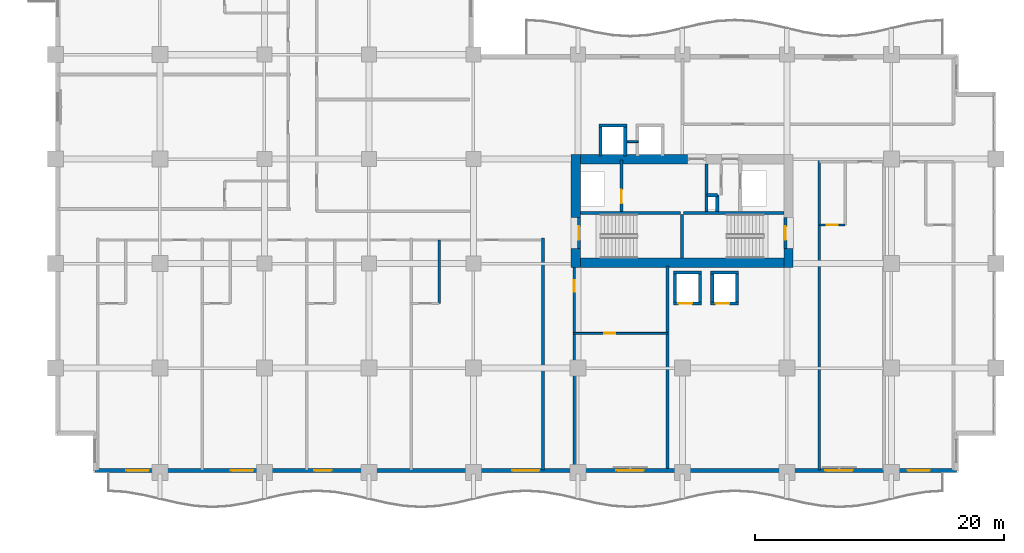
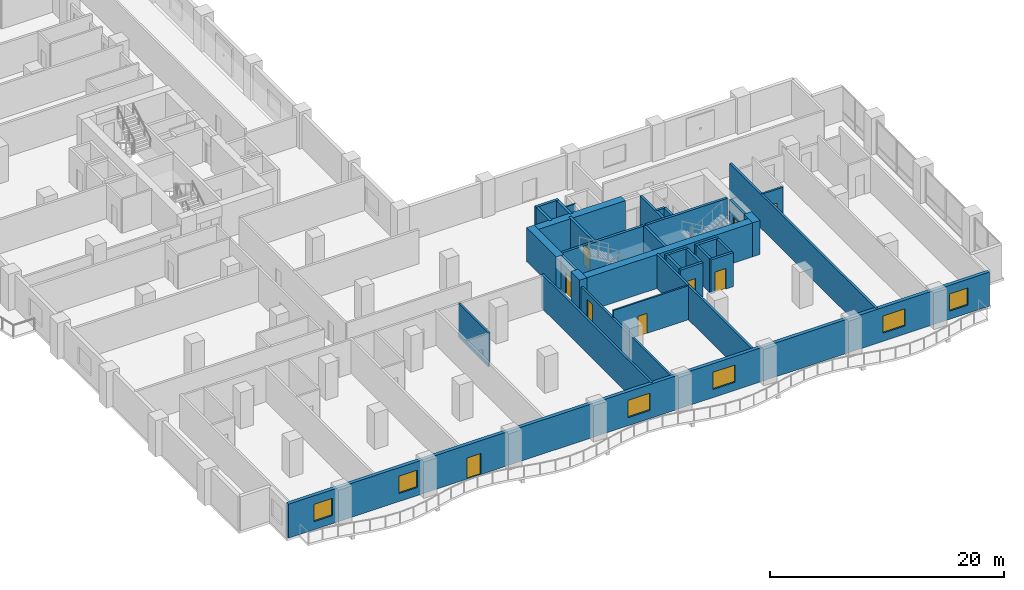
# One storey, part 10 of 24: 34 walls, 9 doors, 6 windows, 15 openings.
"""IFC4 building model written with IfcOpenShell, lengths in metres."""

from ifc_helpers import new_model, si_unit, direction, frame, frame_2d, origin, place, context, subcontext, project, spatial, rectangle, extrude, material, layer, layer_set, type_object, element, fill, save


model = new_model("IFC4")

# Units and contexts
model_context = context("Model", 3, precision=1e-05, world=origin(), true_north=direction((0.0, 1.0)))
body_context = subcontext(model_context, "Body", "Model", "MODEL_VIEW")
ifc_project = project(units=[si_unit("LENGTHUNIT", "METRE"), si_unit("AREAUNIT", "SQUARE_METRE"), si_unit("VOLUMEUNIT", "CUBIC_METRE"), si_unit("PLANEANGLEUNIT", "RADIAN"), si_unit("MASSUNIT", "GRAM", prefix="KILO")], contexts=[model_context])

# Site, building, storey
site_placement = place(None, origin())
site = spatial("IfcSite", under=ifc_project, at=site_placement, CompositionType="ELEMENT")
building_placement = place(site_placement, origin())
building = spatial("IfcBuilding", under=site, at=building_placement, Name="Koriwani Terraces Tower", CompositionType="ELEMENT")
storey_placement = place(building_placement, frame((0.0, 0.0, 103.800048828125)))
storey = spatial("IfcBuildingStorey", under=building, at=storey_placement, Name="L24", CompositionType="ELEMENT", Elevation=103.800048828125)

# Walls
ifc_material_1 = material(Name="Concrete C60/75", Category="concrete")
ifc_layer_1 = layer(ifc_material_1, 0.75, Name="Concrete C60/75")
ifc_layer_set_1 = layer_set([ifc_layer_1], Name="Concrete C60/75")
wall_type_1 = type_object("IfcWallType", Name="WALL_CORE_RC_750", PredefinedType="SHEAR", material=ifc_layer_set_1)
wall_1_placement = place(storey_placement, frame((41.824951171875, 16.5, 0.0), z_axis=(0.0, 0.0, 1.0), x_axis=(0.0, 1.0, 0.0)))
element("IfcWall", 1, at=wall_1_placement, inside=storey, type_object=wall_type_1, Name="L24 East Split Core Shear Wall W1", PredefinedType="SHEAR", context=body_context, shape_type="SweptSolid", body=[
    extrude(rectangle(XDim=1.5, YDim=0.75, at=frame_2d((0.75, 0.0))), origin(), (0.0, 0.0, 1.0), 3.550048828125),
])
wall_2_placement = place(storey_placement, frame((41.824951171875, 20.5, 0.0), z_axis=(0.0, 0.0, 1.0), x_axis=(0.0, 1.0, 0.0)))
element("IfcWall", 2, at=wall_2_placement, inside=storey, type_object=wall_type_1, Name="L24 East Split Core Shear Wall W2", PredefinedType="SHEAR", context=body_context, shape_type="SweptSolid", body=[
    extrude(rectangle(XDim=5.074951171875, YDim=0.75, at=frame_2d((2.53759765625, 0.0))), origin(), (0.0, 0.0, 1.0), 3.550048828125),
])
wall_3_placement = place(storey_placement, frame((58.925048828125, 16.5, 0.0), z_axis=(0.0, 0.0, 1.0), x_axis=(0.0, 1.0, 0.0)))
element("IfcWall", 3, at=wall_3_placement, inside=storey, type_object=wall_type_1, Name="L24 East Split Core Shear Wall E1", PredefinedType="SHEAR", context=body_context, shape_type="SweptSolid", body=[
    extrude(rectangle(XDim=1.5, YDim=0.75, at=frame_2d((0.75, 0.0))), origin(), (0.0, 0.0, 1.0), 3.550048828125),
])
wall_4_placement = place(storey_placement, frame((42.199951171875, 16.875, 0.0), z_axis=(0.0, 0.0, 1.0), x_axis=(1.0, 0.0, 0.0)))
element("IfcWall", 4, at=wall_4_placement, inside=storey, type_object=wall_type_1, Name="L24 East Split Core Shear Wall S1", PredefinedType="SHEAR", context=body_context, shape_type="SweptSolid", body=[
    extrude(rectangle(XDim=16.35009765625, YDim=0.75, at=frame_2d((8.175048828125, 0.0))), origin(), (0.0, 0.0, 1.0), 3.550048828125),
])
wall_5_placement = place(storey_placement, frame((42.199951171875, 25.199951171875, 0.0), z_axis=(0.0, 0.0, 1.0), x_axis=(1.0, 0.0, 0.0)))
element("IfcWall", 5, at=wall_5_placement, inside=storey, type_object=wall_type_1, Name="L24 East Split Core Shear Wall N1", PredefinedType="SHEAR", context=body_context, shape_type="SweptSolid", body=[
    extrude(rectangle(XDim=8.60009765625, YDim=0.75, at=frame_2d((4.300048828125, 0.0))), origin(), (0.0, 0.0, 1.0), 3.550048828125),
])

# Wall, opening, door
ifc_material_2 = material(Name="Autoclaved Cellular Concrete Blockwork", Category="masonry")
ifc_layer_2 = layer(ifc_material_2, 0.199951171875, Name="Autoclaved Cellular Concrete Blockwork")
ifc_layer_set_2 = layer_set([ifc_layer_2], Name="Autoclaved Cellular Concrete Blockwork")
wall_type_2 = type_object("IfcWallType", Name="WALL_CORRIDOR_200", PredefinedType="PARTITIONING", material=ifc_layer_set_2)
wall_6_placement = place(storey_placement, frame((41.699951171875, 0.35009765625, 0.0), z_axis=(0.0, 0.0, 1.0), x_axis=(0.0, 1.0, 0.0)))
wall_6 = element("IfcWall", 6, at=wall_6_placement, inside=storey, type_object=wall_type_2, Name="L24 Interior Wall WREC-EW-L24", PredefinedType="PARTITIONING", context=body_context, shape_type="SweptSolid", body=[
    extrude(rectangle(XDim=16.25, YDim=0.199951171875, at=frame_2d((8.125, 0.0))), origin(), (0.0, 0.0, 1.0), 2.800048828125),
])
opening_1_placement = place(wall_6_placement, frame((14.199951171875, 0.0, 0.0)))
opening_1 = element("IfcOpeningElement", 7, at=opening_1_placement, cuts=wall_6, Name="Opening D-06", PredefinedType="OPENING", context=body_context, shape_type="SweptSolid", body=[
    extrude(rectangle(XDim=0.919921875, YDim=2.10009765625, at=frame_2d((0.4599609375, 1.050048828125))), frame((0.0, 0.10986328125, 0.0), z_axis=(0.0, -1.0, 0.0), x_axis=(1.0, 0.0, 0.0)), (0.0, 0.0, 1.0), 0.219970703125),
])
ifc_material_3 = material(Name="Architectural Oak Fire Door", Category="wood")
door_type_1 = type_object("IfcDoorType", Name="DOOR_ROOM_INT_920X2100", OperationType="NOTDEFINED", PredefinedType="DOOR", material=ifc_material_3)
door_1_placement = place(opening_1_placement, origin())
door_1 = element("IfcDoor", 8, at=door_1_placement, inside=storey, type_object=door_type_1, Name="L24 Housekeeping and Linen Room Door", OperationType="SINGLE_SWING_RIGHT", OverallHeight=2.10009765625, OverallWidth=0.919921875, PredefinedType="DOOR", context=body_context, shape_type="SweptSolid", body=[
    extrude(rectangle(XDim=0.919921875, YDim=2.10009765625, at=frame_2d((0.4599609375, 1.050048828125))), frame((0.0, 0.02490234375, 0.0), z_axis=(0.0, -1.0, 0.0), x_axis=(1.0, 0.0, 0.0)), (0.0, 0.0, 1.0), 0.050048828125),
])
fill(opening_1, door_1)

# Walls
ifc_layer_3 = layer(ifc_material_2, 0.219970703125, Name="Autoclaved Cellular Concrete Blockwork")
ifc_layer_set_3 = layer_set([ifc_layer_3], Name="Autoclaved Cellular Concrete Blockwork")
wall_type_3 = type_object("IfcWallType", Name="WALL_DEMISING_220", PredefinedType="PARTITIONING", material=ifc_layer_set_3)
wall_7_placement = place(storey_placement, frame((49.199951171875, 0.35009765625, 0.0), z_axis=(0.0, 0.0, 1.0), x_axis=(0.0, 1.0, 0.0)))
element("IfcWall", 9, at=wall_7_placement, inside=storey, type_object=wall_type_3, Name="L24 Interior Wall WREC-EE-L24", PredefinedType="PARTITIONING", context=body_context, shape_type="SweptSolid", body=[
    extrude(rectangle(XDim=16.25, YDim=0.219970703125, at=frame_2d((8.125, 0.0))), origin(), (0.0, 0.0, 1.0), 3.550048828125),
])
wall_8_placement = place(storey_placement, frame((39.199951171875, 0.199951171875, 0.0), z_axis=(0.0, 0.0, 1.0), x_axis=(0.0, 1.0, 0.0)))
element("IfcWall", 10, at=wall_8_placement, inside=storey, type_object=wall_type_3, Name="L24 Interior Wall WDEME-L24-SW", PredefinedType="PARTITIONING", context=body_context, shape_type="SweptSolid", body=[
    extrude(rectangle(XDim=18.679931640625, YDim=0.219970703125, at=frame_2d((9.33984375, 0.0))), origin(), (0.0, 0.0, 1.0), 3.550048828125),
])
wall_9_placement = place(storey_placement, frame((61.39990234375, 0.199951171875, 0.0), z_axis=(0.0, 0.0, 1.0), x_axis=(0.0, 1.0, 0.0)))
element("IfcWall", 11, at=wall_9_placement, inside=storey, type_object=wall_type_3, Name="L24 Interior Wall WDEM-L24-SE-0", PredefinedType="PARTITIONING", context=body_context, shape_type="SweptSolid", body=[
    extrude(rectangle(XDim=24.97998046875, YDim=0.219970703125, at=frame_2d((12.489990234375, 0.0))), origin(), (0.0, 0.0, 1.0), 3.550048828125),
])

# Wall, openings, door, windows
ifc_material_4 = material(Name="Concrete C50/60", Category="concrete")
ifc_layer_4 = layer(ifc_material_4, 0.35009765625, Name="Concrete C50/60")
ifc_layer_set_4 = layer_set([ifc_layer_4], Name="Concrete C50/60")
wall_type_4 = type_object("IfcWallType", Name="WALL_EXT_BRUTALIST_350", PredefinedType="STANDARD", material=ifc_layer_set_4)
wall_10_placement = place(storey_placement, frame((72.425048828125, 0.175048828125, 0.0), z_axis=(0.0, 0.0, 1.0), x_axis=(-1.0, 0.0, 0.0)))
wall_10 = element("IfcWall", 12, at=wall_10_placement, inside=storey, type_object=wall_type_4, Name="L24 Fair-Faced Brutalist Exterior Wall (S)", PredefinedType="STANDARD", context=body_context, shape_type="SweptSolid", body=[
    extrude(rectangle(XDim=69.25, YDim=0.35009765625, at=frame_2d((34.625, 0.0))), origin(), (0.0, 0.0, 1.0), 3.550048828125),
])
opening_2_placement = place(wall_10_placement, frame((50.22509765625, 0.0, 0.0)))
opening_2 = element("IfcOpeningElement", 13, at=opening_2_placement, cuts=wall_10, Name="Opening D-09", PredefinedType="OPENING", context=body_context, shape_type="SweptSolid", body=[
    extrude(rectangle(XDim=1.39990234375, YDim=2.199951171875, at=frame_2d((0.699951171875, 1.10009765625))), frame((0.0, 0.18505859375, 0.0), z_axis=(0.0, -1.0, 0.0), x_axis=(1.0, 0.0, 0.0)), (0.0, 0.0, 1.0), 0.3701171875),
])
opening_3_placement = place(wall_10_placement, frame((33.52490234375, 0.0, 0.85009765625)))
opening_3 = element("IfcOpeningElement", 14, at=opening_3_placement, cuts=wall_10, Name="Opening W-01", PredefinedType="OPENING", context=body_context, shape_type="SweptSolid", body=[
    extrude(rectangle(XDim=2.199951171875, YDim=1.800048828125, at=frame_2d((1.10009765625, 0.89990234375))), frame((0.0, 0.18505859375, 0.0), z_axis=(0.0, -1.0, 0.0), x_axis=(1.0, 0.0, 0.0)), (0.0, 0.0, 1.0), 0.3701171875),
])
opening_4_placement = place(wall_10_placement, frame((25.125, 0.0, 0.85009765625)))
opening_4 = element("IfcOpeningElement", 15, at=opening_4_placement, cuts=wall_10, Name="Opening W-01", PredefinedType="OPENING", context=body_context, shape_type="SweptSolid", body=[
    extrude(rectangle(XDim=2.199951171875, YDim=1.800048828125, at=frame_2d((1.10009765625, 0.89990234375))), frame((0.0, 0.18505859375, 0.0), z_axis=(0.0, -1.0, 0.0), x_axis=(1.0, 0.0, 0.0)), (0.0, 0.0, 1.0), 0.3701171875),
])
opening_5_placement = place(wall_10_placement, frame((8.324951171875, 0.0, 0.85009765625)))
opening_5 = element("IfcOpeningElement", 16, at=opening_5_placement, cuts=wall_10, Name="Opening W-01", PredefinedType="OPENING", context=body_context, shape_type="SweptSolid", body=[
    extrude(rectangle(XDim=2.199951171875, YDim=1.800048828125, at=frame_2d((1.10009765625, 0.89990234375))), frame((0.0, 0.18505859375, 0.0), z_axis=(0.0, -1.0, 0.0), x_axis=(1.0, 0.0, 0.0)), (0.0, 0.0, 1.0), 0.3701171875),
])
opening_6_placement = place(wall_10_placement, frame((64.925048828125, 0.0, 0.85009765625)))
opening_6 = element("IfcOpeningElement", 17, at=opening_6_placement, cuts=wall_10, Name="Opening W-04", PredefinedType="OPENING", context=body_context, shape_type="SweptSolid", body=[
    extrude(rectangle(XDim=1.800048828125, YDim=1.800048828125, at=frame_2d((0.89990234375, 0.89990234375))), frame((0.0, 0.18505859375, 0.0), z_axis=(0.0, -1.0, 0.0), x_axis=(1.0, 0.0, 0.0)), (0.0, 0.0, 1.0), 0.3701171875),
])
opening_7_placement = place(wall_10_placement, frame((56.52490234375, 0.0, 0.85009765625)))
opening_7 = element("IfcOpeningElement", 18, at=opening_7_placement, cuts=wall_10, Name="Opening W-04", PredefinedType="OPENING", context=body_context, shape_type="SweptSolid", body=[
    extrude(rectangle(XDim=1.800048828125, YDim=1.800048828125, at=frame_2d((0.89990234375, 0.89990234375))), frame((0.0, 0.18505859375, 0.0), z_axis=(0.0, -1.0, 0.0), x_axis=(1.0, 0.0, 0.0)), (0.0, 0.0, 1.0), 0.3701171875),
])
opening_8_placement = place(wall_10_placement, frame((2.125, 0.0, 0.85009765625)))
opening_8 = element("IfcOpeningElement", 19, at=opening_8_placement, cuts=wall_10, Name="Opening W-04", PredefinedType="OPENING", context=body_context, shape_type="SweptSolid", body=[
    extrude(rectangle(XDim=1.800048828125, YDim=1.800048828125, at=frame_2d((0.89990234375, 0.89990234375))), frame((0.0, 0.18505859375, 0.0), z_axis=(0.0, -1.0, 0.0), x_axis=(1.0, 0.0, 0.0)), (0.0, 0.0, 1.0), 0.3701171875),
])
ifc_material_5 = material(Name="Anodised Bronze Aluminium", Category="aluminium")
door_type_2 = type_object("IfcDoorType", Name="DOOR_BALCONY_GLAZED_1400X2200", OperationType="NOTDEFINED", PredefinedType="DOOR", material=ifc_material_5)
door_2_placement = place(opening_2_placement, origin())
door_2 = element("IfcDoor", 20, at=door_2_placement, inside=storey, type_object=door_type_2, Name="L24 South Balcony Glazed Door", OperationType="SINGLE_SWING_LEFT", OverallHeight=2.199951171875, OverallWidth=1.39990234375, PredefinedType="DOOR", context=body_context, shape_type="SweptSolid", body=[
    extrude(rectangle(XDim=1.39990234375, YDim=2.199951171875, at=frame_2d((0.699951171875, 1.10009765625))), frame((0.0, 0.02490234375, 0.0), z_axis=(0.0, -1.0, 0.0), x_axis=(1.0, 0.0, 0.0)), (0.0, 0.0, 1.0), 0.050048828125),
])
fill(opening_2, door_2)
ifc_material_6 = material(Name="Tempered Laminated Low-E Glass", Category="glass")
window_type_1 = type_object("IfcWindowType", Name="WIN_HOTEL_STD_2200X1800", PartitioningType="DOUBLE_PANEL_VERTICAL", PredefinedType="WINDOW", material=ifc_material_6)
window_1_placement = place(opening_3_placement, origin())
window_1 = element("IfcWindow", 21, at=window_1_placement, inside=storey, type_object=window_type_1, Name="L24 Exterior Window (S-12)", OverallHeight=1.800048828125, OverallWidth=2.199951171875, PartitioningType="SINGLE_PANEL", PredefinedType="WINDOW", context=body_context, shape_type="SweptSolid", body=[
    extrude(rectangle(XDim=2.199951171875, YDim=1.800048828125, at=frame_2d((1.10009765625, 0.89990234375))), frame((0.0, 0.030029296875, 0.0), z_axis=(0.0, -1.0, 0.0), x_axis=(1.0, 0.0, 0.0)), (0.0, 0.0, 1.0), 0.06005859375),
])
fill(opening_3, window_1)
window_2_placement = place(opening_4_placement, origin())
window_2 = element("IfcWindow", 22, at=window_2_placement, inside=storey, type_object=window_type_1, Name="L24 Exterior Window (S-15)", OverallHeight=1.800048828125, OverallWidth=2.199951171875, PartitioningType="SINGLE_PANEL", PredefinedType="WINDOW", context=body_context, shape_type="SweptSolid", body=[
    extrude(rectangle(XDim=2.199951171875, YDim=1.800048828125, at=frame_2d((1.10009765625, 0.89990234375))), frame((0.0, 0.030029296875, 0.0), z_axis=(0.0, -1.0, 0.0), x_axis=(1.0, 0.0, 0.0)), (0.0, 0.0, 1.0), 0.06005859375),
])
fill(opening_4, window_2)
window_3_placement = place(opening_5_placement, origin())
window_3 = element("IfcWindow", 23, at=window_3_placement, inside=storey, type_object=window_type_1, Name="L24 Exterior Window (S-21)", OverallHeight=1.800048828125, OverallWidth=2.199951171875, PartitioningType="SINGLE_PANEL", PredefinedType="WINDOW", context=body_context, shape_type="SweptSolid", body=[
    extrude(rectangle(XDim=2.199951171875, YDim=1.800048828125, at=frame_2d((1.10009765625, 0.89990234375))), frame((0.0, 0.030029296875, 0.0), z_axis=(0.0, -1.0, 0.0), x_axis=(1.0, 0.0, 0.0)), (0.0, 0.0, 1.0), 0.06005859375),
])
fill(opening_5, window_3)
window_type_2 = type_object("IfcWindowType", Name="WIN_RES_BED_1800X1800", PartitioningType="DOUBLE_PANEL_VERTICAL", PredefinedType="WINDOW", material=ifc_material_6)
window_4_placement = place(opening_6_placement, origin())
window_4 = element("IfcWindow", 24, at=window_4_placement, inside=storey, type_object=window_type_2, Name="L24 Exterior Window (S-R31)", OverallHeight=1.800048828125, OverallWidth=1.800048828125, PartitioningType="SINGLE_PANEL", PredefinedType="WINDOW", context=body_context, shape_type="SweptSolid", body=[
    extrude(rectangle(XDim=1.800048828125, YDim=1.800048828125, at=frame_2d((0.89990234375, 0.89990234375))), frame((0.0, 0.030029296875, 0.0), z_axis=(0.0, -1.0, 0.0), x_axis=(1.0, 0.0, 0.0)), (0.0, 0.0, 1.0), 0.06005859375),
])
fill(opening_6, window_4)
window_5_placement = place(opening_7_placement, origin())
window_5 = element("IfcWindow", 25, at=window_5_placement, inside=storey, type_object=window_type_2, Name="L24 Exterior Window (S-R33)", OverallHeight=1.800048828125, OverallWidth=1.800048828125, PartitioningType="SINGLE_PANEL", PredefinedType="WINDOW", context=body_context, shape_type="SweptSolid", body=[
    extrude(rectangle(XDim=1.800048828125, YDim=1.800048828125, at=frame_2d((0.89990234375, 0.89990234375))), frame((0.0, 0.030029296875, 0.0), z_axis=(0.0, -1.0, 0.0), x_axis=(1.0, 0.0, 0.0)), (0.0, 0.0, 1.0), 0.06005859375),
])
fill(opening_7, window_5)
window_6_placement = place(opening_8_placement, origin())
window_6 = element("IfcWindow", 26, at=window_6_placement, inside=storey, type_object=window_type_2, Name="L24 Exterior Window (S-R54)", OverallHeight=1.800048828125, OverallWidth=1.800048828125, PartitioningType="SINGLE_PANEL", PredefinedType="WINDOW", context=body_context, shape_type="SweptSolid", body=[
    extrude(rectangle(XDim=1.800048828125, YDim=1.800048828125, at=frame_2d((0.89990234375, 0.89990234375))), frame((0.0, 0.030029296875, 0.0), z_axis=(0.0, -1.0, 0.0), x_axis=(1.0, 0.0, 0.0)), (0.0, 0.0, 1.0), 0.06005859375),
])
fill(opening_8, window_6)

# Wall
ifc_material_7 = material(Name="Fire-Rated Acoustic Gypsum Partition", Category="masonry")
ifc_layer_5 = layer(ifc_material_7, 0.179931640625, Name="Fire-Rated Acoustic Gypsum Partition")
ifc_layer_set_5 = layer_set([ifc_layer_5], Name="Fire-Rated Acoustic Gypsum Partition")
wall_type_5 = type_object("IfcWallType", Name="WALL_PLUMBING_180", PredefinedType="PLUMBINGWALL", material=ifc_layer_set_5)
wall_11_placement = place(storey_placement, frame((30.85009765625, 13.60009765625, 0.0), z_axis=(0.0, 0.0, 1.0), x_axis=(0.0, 1.0, 0.0)))
element("IfcWall", 27, at=wall_11_placement, inside=storey, type_object=wall_type_5, Name="L24 Interior Wall WBTH2-L24-SW-3", PredefinedType="PLUMBINGWALL", context=body_context, shape_type="SweptSolid", body=[
    extrude(rectangle(XDim=5.099853515625, YDim=0.179931640625, at=frame_2d((2.5498046875, 0.0))), origin(), (0.0, 0.0, 1.0), 3.550048828125),
])

# Wall, opening, door
wall_12_placement = place(storey_placement, frame((61.39990234375, 19.89990234375, 0.0), z_axis=(0.0, 0.0, 1.0), x_axis=(1.0, 0.0, 0.0)))
wall_12 = element("IfcWall", 28, at=wall_12_placement, inside=storey, type_object=wall_type_5, Name="L24 Interior Wall WBTH1-L24-SE-0", PredefinedType="PLUMBINGWALL", context=body_context, shape_type="SweptSolid", body=[
    extrude(rectangle(XDim=2.080078125, YDim=0.179931640625, at=frame_2d((1.0400390625, 0.0))), origin(), (0.0, 0.0, 1.0), 3.550048828125),
])
opening_9_placement = place(wall_12_placement, frame((0.590087890625, 0.0, 0.0)))
opening_9 = element("IfcOpeningElement", 29, at=opening_9_placement, cuts=wall_12, Name="Opening D-07", PredefinedType="OPENING", context=body_context, shape_type="SweptSolid", body=[
    extrude(rectangle(XDim=0.89990234375, YDim=2.10009765625, at=frame_2d((0.449951171875, 1.050048828125))), frame((0.0, 0.10009765625, 0.0), z_axis=(0.0, -1.0, 0.0), x_axis=(1.0, 0.0, 0.0)), (0.0, 0.0, 1.0), 0.199951171875),
])
door_type_3 = type_object("IfcDoorType", Name="DOOR_BATH_INT_900X2100", OperationType="NOTDEFINED", PredefinedType="DOOR", material=ifc_material_3)
door_3_placement = place(opening_9_placement, origin())
door_3 = element("IfcDoor", 30, at=door_3_placement, inside=storey, type_object=door_type_3, Name="En-Suite Bathroom 24SE1 Door", OperationType="SINGLE_SWING_RIGHT", OverallHeight=2.10009765625, OverallWidth=0.89990234375, PredefinedType="DOOR", context=body_context, shape_type="SweptSolid", body=[
    extrude(rectangle(XDim=0.89990234375, YDim=2.10009765625, at=frame_2d((0.449951171875, 1.050048828125))), frame((0.0, 0.02490234375, 0.0), z_axis=(0.0, -1.0, 0.0), x_axis=(1.0, 0.0, 0.0)), (0.0, 0.0, 1.0), 0.050048828125),
])
fill(opening_9, door_3)

# Walls
ifc_material_8 = material(Name="Concrete C40/50", Category="concrete")
ifc_layer_6 = layer(ifc_material_8, 0.25, Name="Concrete C40/50")
ifc_layer_set_6 = layer_set([ifc_layer_6], Name="Concrete C40/50")
wall_type_6 = type_object("IfcWallType", Name="WALL_SHAFT_RATED_250", PredefinedType="SOLIDWALL", material=ifc_layer_set_6)
for number, where, z_axis, x_axis, name in (
    (31, (42.199951171875, 20.875, 0.0), (0.0, 0.0, 1.0), (1.0, 0.0, 0.0), "L24 East Split Core Web Wall MID1"),
    (32, (50.5, 20.875, 0.0), (0.0, 0.0, 1.0), (1.0, 0.0, 0.0), "L24 East Split Core Web Wall MID2"),
):
    element("IfcWall", number, at=place(storey_placement, frame(where, z_axis=z_axis, x_axis=x_axis)), inside=storey, type_object=wall_type_6, Name=name, PredefinedType="SOLIDWALL", context=body_context, shape_type="SweptSolid", body=[
        extrude(rectangle(XDim=8.050048828125, YDim=0.25, at=frame_2d((4.02490234375, 0.0))), origin(), (0.0, 0.0, 1.0), 3.550048828125),
    ])
wall_13_placement = place(storey_placement, frame((50.375, 17.25, 0.0), z_axis=(0.0, 0.0, 1.0), x_axis=(0.0, 1.0, 0.0)))
element("IfcWall", 33, at=wall_13_placement, inside=storey, type_object=wall_type_6, Name="L24 East Split Core Stair Dividing Wall", PredefinedType="SOLIDWALL", context=body_context, shape_type="SweptSolid", body=[
    extrude(rectangle(XDim=3.5, YDim=0.25, at=frame_2d((1.75, 0.0))), origin(), (0.0, 0.0, 1.0), 3.550048828125),
])

# Wall, opening, door
wall_14_placement = place(storey_placement, frame((42.074951171875, 18.0, 0.0), z_axis=(0.0, 0.0, 1.0), x_axis=(0.0, 1.0, 0.0)))
wall_14 = element("IfcWall", 34, at=wall_14_placement, inside=storey, type_object=wall_type_6, Name="L24 Interior Wall WIN-CE-L24-STW", PredefinedType="SOLIDWALL", context=body_context, shape_type="SweptSolid", body=[
    extrude(rectangle(XDim=2.5, YDim=0.25, at=frame_2d((1.25, 0.0))), origin(), (0.0, 0.0, 1.0), 3.550048828125),
])
opening_10_placement = place(wall_14_placement, frame((0.699951171875, 0.0, 0.0)))
opening_10 = element("IfcOpeningElement", 35, at=opening_10_placement, cuts=wall_14, Name="Opening D-03", PredefinedType="OPENING", context=body_context, shape_type="SweptSolid", body=[
    extrude(rectangle(XDim=1.10009765625, YDim=2.14990234375, at=frame_2d((0.550048828125, 1.074951171875))), frame((0.0, 0.135009765625, 0.0), z_axis=(0.0, -1.0, 0.0), x_axis=(1.0, 0.0, 0.0)), (0.0, 0.0, 1.0), 0.27001953125),
])
ifc_material_9 = material(Name="Steel ASTM A572 Grade 50", Category="steel")
door_type_4 = type_object("IfcDoorType", Name="DOOR_STAIR_FIRE_1100X2150", OperationType="NOTDEFINED", PredefinedType="DOOR", material=ifc_material_9)
door_4_placement = place(opening_10_placement, origin())
door_4 = element("IfcDoor", 36, at=door_4_placement, inside=storey, type_object=door_type_4, Name="L24 Exit Stair ST-E1 Door", OperationType="SINGLE_SWING_LEFT", OverallHeight=2.14990234375, OverallWidth=1.10009765625, PredefinedType="DOOR", context=body_context, shape_type="SweptSolid", body=[
    extrude(rectangle(XDim=1.10009765625, YDim=2.14990234375, at=frame_2d((0.550048828125, 1.074951171875))), frame((0.0, 0.02490234375, 0.0), z_axis=(0.0, -1.0, 0.0), x_axis=(1.0, 0.0, 0.0)), (0.0, 0.0, 1.0), 0.050048828125),
])
fill(opening_10, door_4)

wall_15_placement = place(storey_placement, frame((58.675048828125, 18.0, 0.0), z_axis=(0.0, 0.0, 1.0), x_axis=(0.0, 1.0, 0.0)))
wall_15 = element("IfcWall", 37, at=wall_15_placement, inside=storey, type_object=wall_type_6, Name="L24 Interior Wall WIN-CE-L24-STE", PredefinedType="SOLIDWALL", context=body_context, shape_type="SweptSolid", body=[
    extrude(rectangle(XDim=2.5, YDim=0.25, at=frame_2d((1.25, 0.0))), origin(), (0.0, 0.0, 1.0), 3.550048828125),
])
opening_11_placement = place(wall_15_placement, frame((0.699951171875, 0.0, 0.0)))
opening_11 = element("IfcOpeningElement", 38, at=opening_11_placement, cuts=wall_15, Name="Opening D-03", PredefinedType="OPENING", context=body_context, shape_type="SweptSolid", body=[
    extrude(rectangle(XDim=1.10009765625, YDim=2.14990234375, at=frame_2d((0.550048828125, 1.074951171875))), frame((0.0, 0.135009765625, 0.0), z_axis=(0.0, -1.0, 0.0), x_axis=(1.0, 0.0, 0.0)), (0.0, 0.0, 1.0), 0.27001953125),
])
door_5_placement = place(opening_11_placement, origin())
door_5 = element("IfcDoor", 39, at=door_5_placement, inside=storey, type_object=door_type_4, Name="L24 Exit Stair ST-E2 Door", OperationType="SINGLE_SWING_RIGHT", OverallHeight=2.14990234375, OverallWidth=1.10009765625, PredefinedType="DOOR", context=body_context, shape_type="SweptSolid", body=[
    extrude(rectangle(XDim=1.10009765625, YDim=2.14990234375, at=frame_2d((0.550048828125, 1.074951171875))), frame((0.0, 0.02490234375, 0.0), z_axis=(0.0, -1.0, 0.0), x_axis=(1.0, 0.0, 0.0)), (0.0, 0.0, 1.0), 0.050048828125),
])
fill(opening_11, door_5)

wall_16_placement = place(storey_placement, frame((45.5, 21.0, 0.0), z_axis=(0.0, 0.0, 1.0), x_axis=(0.0, 1.0, 0.0)))
wall_16 = element("IfcWall", 40, at=wall_16_placement, inside=storey, type_object=wall_type_6, Name="L24 Interior Wall WIN-CE-L24-FE", PredefinedType="SOLIDWALL", context=body_context, shape_type="SweptSolid", body=[
    extrude(rectangle(XDim=4.14990234375, YDim=0.25, at=frame_2d((2.074951171875, 0.0))), origin(), (0.0, 0.0, 1.0), 3.550048828125),
])
opening_12_placement = place(wall_16_placement, frame((0.64990234375, 0.0, 0.0)))
opening_12 = element("IfcOpeningElement", 41, at=opening_12_placement, cuts=wall_16, Name="Opening LD-01", PredefinedType="OPENING", context=body_context, shape_type="SweptSolid", body=[
    extrude(rectangle(XDim=1.10009765625, YDim=2.14990234375, at=frame_2d((0.550048828125, 1.074951171875))), frame((0.0, 0.135009765625, 0.0), z_axis=(0.0, -1.0, 0.0), x_axis=(1.0, 0.0, 0.0)), (0.0, 0.0, 1.0), 0.27001953125),
])
door_type_5 = type_object("IfcDoorType", Name="DOOR_LIFT_LANDING_1100X2200", OperationType="NOTDEFINED", PredefinedType="DOOR", material=ifc_material_9)
door_6_placement = place(opening_12_placement, origin())
door_6 = element("IfcDoor", 42, at=door_6_placement, inside=storey, type_object=door_type_5, Name="L24 Firefighting Lift FE-02 Landing Door", OperationType="SLIDING_TO_LEFT", OverallHeight=2.14990234375, OverallWidth=1.10009765625, PredefinedType="DOOR", context=body_context, shape_type="SweptSolid", body=[
    extrude(rectangle(XDim=1.10009765625, YDim=2.14990234375, at=frame_2d((0.550048828125, 1.074951171875))), frame((0.0, 0.02490234375, 0.0), z_axis=(0.0, -1.0, 0.0), x_axis=(1.0, 0.0, 0.0)), (0.0, 0.0, 1.0), 0.050048828125),
])
fill(opening_12, door_6)

# Walls
wall_17_placement = place(storey_placement, frame((52.340087890625, 21.0, 0.0), z_axis=(0.0, 0.0, 1.0), x_axis=(0.0, 1.0, 0.0)))
element("IfcWall", 43, at=wall_17_placement, inside=storey, type_object=wall_type_6, Name="L24 Interior Wall WIN-CE-L24-FFE", PredefinedType="SOLIDWALL", context=body_context, shape_type="SweptSolid", body=[
    extrude(rectangle(XDim=3.824951171875, YDim=0.25, at=frame_2d((1.91259765625, 0.0))), origin(), (0.0, 0.0, 1.0), 3.550048828125),
])
wall_18_placement = place(storey_placement, frame((53.199951171875, 21.0, 0.0), z_axis=(0.0, 0.0, 1.0), x_axis=(0.0, 1.0, 0.0)))
element("IfcWall", 44, at=wall_18_placement, inside=storey, type_object=wall_type_6, Name="L24 Interior Wall WIN-CE-L24-RS1", PredefinedType="SOLIDWALL", context=body_context, shape_type="SweptSolid", body=[
    extrude(rectangle(XDim=1.300048828125, YDim=0.25, at=frame_2d((0.64990234375, 0.0))), origin(), (0.0, 0.0, 1.0), 3.550048828125),
])
wall_19_placement = place(storey_placement, frame((52.360107421875, 22.300048828125, 0.0), z_axis=(0.0, 0.0, 1.0), x_axis=(1.0, 0.0, 0.0)))
element("IfcWall", 45, at=wall_19_placement, inside=storey, type_object=wall_type_6, Name="L24 Interior Wall WIN-CE-L24-RS2", PredefinedType="SOLIDWALL", context=body_context, shape_type="SweptSolid", body=[
    extrude(rectangle(XDim=0.83984375, YDim=0.25, at=frame_2d((0.419921875, 0.0))), origin(), (0.0, 0.0, 1.0), 3.550048828125),
])

# Wall, opening, door
wall_20_placement = place(storey_placement, frame((49.675048828125, 13.60009765625, 0.0), z_axis=(0.0, 0.0, 1.0), x_axis=(1.0, 0.0, 0.0)))
wall_20 = element("IfcWall", 46, at=wall_20_placement, inside=storey, type_object=wall_type_6, Name="L24 Interior Wall WIN-LF-PE-M3-L24-F", PredefinedType="SOLIDWALL", context=body_context, shape_type="SweptSolid", body=[
    extrude(rectangle(XDim=2.25, YDim=0.25, at=frame_2d((1.125, 0.0))), origin(), (0.0, 0.0, 1.0), 3.550048828125),
])
opening_13_placement = place(wall_20_placement, frame((0.39990234375, 0.0, 0.0)))
opening_13 = element("IfcOpeningElement", 47, at=opening_13_placement, cuts=wall_20, Name="Opening LD-01", PredefinedType="OPENING", context=body_context, shape_type="SweptSolid", body=[
    extrude(rectangle(XDim=1.10009765625, YDim=2.14990234375, at=frame_2d((0.550048828125, 1.074951171875))), frame((0.0, 0.135009765625, 0.0), z_axis=(0.0, -1.0, 0.0), x_axis=(1.0, 0.0, 0.0)), (0.0, 0.0, 1.0), 0.27001953125),
])
door_7_placement = place(opening_13_placement, origin())
door_7 = element("IfcDoor", 48, at=door_7_placement, inside=storey, type_object=door_type_5, Name="L24 Passenger Lift PE-M3 Landing Door", OperationType="SLIDING_TO_LEFT", OverallHeight=2.14990234375, OverallWidth=1.10009765625, PredefinedType="DOOR", context=body_context, shape_type="SweptSolid", body=[
    extrude(rectangle(XDim=1.10009765625, YDim=2.14990234375, at=frame_2d((0.550048828125, 1.074951171875))), frame((0.0, 0.02490234375, 0.0), z_axis=(0.0, -1.0, 0.0), x_axis=(1.0, 0.0, 0.0)), (0.0, 0.0, 1.0), 0.050048828125),
])
fill(opening_13, door_7)

# Walls
for number, where, z_axis, x_axis, name in (
    (49, (49.675048828125, 16.10009765625, 0.0), (0.0, 0.0, 1.0), (1.0, 0.0, 0.0), "L24 Interior Wall WIN-LF-PE-M3-L24-B"),
    (50, (49.800048828125, 13.72509765625, 0.0), (0.0, 0.0, 1.0), (0.0, 1.0, 0.0), "L24 Interior Wall WIN-LF-PE-M3-L24-W"),
    (51, (51.800048828125, 13.72509765625, 0.0), (0.0, 0.0, 1.0), (0.0, 1.0, 0.0), "L24 Interior Wall WIN-LF-PE-M3-L24-E"),
):
    element("IfcWall", number, at=place(storey_placement, frame(where, z_axis=z_axis, x_axis=x_axis)), inside=storey, type_object=wall_type_6, Name=name, PredefinedType="SOLIDWALL", context=body_context, shape_type="SweptSolid", body=[
        extrude(rectangle(XDim=2.25, YDim=0.25, at=frame_2d((1.125, 0.0))), origin(), (0.0, 0.0, 1.0), 3.550048828125),
    ])

# Wall, opening, door
wall_21_placement = place(storey_placement, frame((52.675048828125, 13.60009765625, 0.0), z_axis=(0.0, 0.0, 1.0), x_axis=(1.0, 0.0, 0.0)))
wall_21 = element("IfcWall", 52, at=wall_21_placement, inside=storey, type_object=wall_type_6, Name="L24 Interior Wall WIN-LF-PE-M4-L24-F", PredefinedType="SOLIDWALL", context=body_context, shape_type="SweptSolid", body=[
    extrude(rectangle(XDim=2.25, YDim=0.25, at=frame_2d((1.125, 0.0))), origin(), (0.0, 0.0, 1.0), 3.550048828125),
])
opening_14_placement = place(wall_21_placement, frame((0.39990234375, 0.0, 0.0)))
opening_14 = element("IfcOpeningElement", 53, at=opening_14_placement, cuts=wall_21, Name="Opening LD-01", PredefinedType="OPENING", context=body_context, shape_type="SweptSolid", body=[
    extrude(rectangle(XDim=1.10009765625, YDim=2.14990234375, at=frame_2d((0.550048828125, 1.074951171875))), frame((0.0, 0.135009765625, 0.0), z_axis=(0.0, -1.0, 0.0), x_axis=(1.0, 0.0, 0.0)), (0.0, 0.0, 1.0), 0.27001953125),
])
door_8_placement = place(opening_14_placement, origin())
door_8 = element("IfcDoor", 54, at=door_8_placement, inside=storey, type_object=door_type_5, Name="L24 Passenger Lift PE-M4 Landing Door", OperationType="SLIDING_TO_LEFT", OverallHeight=2.14990234375, OverallWidth=1.10009765625, PredefinedType="DOOR", context=body_context, shape_type="SweptSolid", body=[
    extrude(rectangle(XDim=1.10009765625, YDim=2.14990234375, at=frame_2d((0.550048828125, 1.074951171875))), frame((0.0, 0.02490234375, 0.0), z_axis=(0.0, -1.0, 0.0), x_axis=(1.0, 0.0, 0.0)), (0.0, 0.0, 1.0), 0.050048828125),
])
fill(opening_14, door_8)

# Walls
for number, where, z_axis, x_axis, name in (
    (55, (52.675048828125, 16.10009765625, 0.0), (0.0, 0.0, 1.0), (1.0, 0.0, 0.0), "L24 Interior Wall WIN-LF-PE-M4-L24-B"),
    (56, (52.800048828125, 13.72509765625, 0.0), (0.0, 0.0, 1.0), (0.0, 1.0, 0.0), "L24 Interior Wall WIN-LF-PE-M4-L24-W"),
    (57, (54.800048828125, 13.72509765625, 0.0), (0.0, 0.0, 1.0), (0.0, 1.0, 0.0), "L24 Interior Wall WIN-LF-PE-M4-L24-E"),
    (58, (43.675048828125, 27.89990234375, 0.0), (0.0, 0.0, 1.0), (1.0, 0.0, 0.0), "L24 Interior Wall WIN-LF-PE-H3-L24-F"),
):
    element("IfcWall", number, at=place(storey_placement, frame(where, z_axis=z_axis, x_axis=x_axis)), inside=storey, type_object=wall_type_6, Name=name, PredefinedType="SOLIDWALL", context=body_context, shape_type="SweptSolid", body=[
        extrude(rectangle(XDim=2.25, YDim=0.25, at=frame_2d((1.125, 0.0))), origin(), (0.0, 0.0, 1.0), 3.550048828125),
    ])
for number, where, z_axis, x_axis, name in (
    (59, (43.800048828125, 25.449951171875, 0.0), (0.0, 0.0, 1.0), (0.0, 1.0, 0.0), "L24 Interior Wall WIN-LF-PE-H3-L24-W"),
    (60, (45.800048828125, 25.449951171875, 0.0), (0.0, 0.0, 1.0), (0.0, 1.0, 0.0), "L24 Interior Wall WIN-LF-PE-H3-L24-E"),
):
    element("IfcWall", number, at=place(storey_placement, frame(where, z_axis=z_axis, x_axis=x_axis)), inside=storey, type_object=wall_type_6, Name=name, PredefinedType="SOLIDWALL", context=body_context, shape_type="SweptSolid", body=[
        extrude(rectangle(XDim=2.324951171875, YDim=0.25, at=frame_2d((1.16259765625, 0.0))), origin(), (0.0, 0.0, 1.0), 3.550048828125),
    ])
ifc_layer_7 = layer(ifc_material_7, 0.159912109375, Name="Fire-Rated Acoustic Gypsum Partition")
ifc_layer_set_7 = layer_set([ifc_layer_7], Name="Fire-Rated Acoustic Gypsum Partition")
wall_type_7 = type_object("IfcWallType", Name="WALL_SUITE_160", PredefinedType="PARTITIONING", material=ifc_layer_set_7)
wall_22_placement = place(storey_placement, frame((45.9599609375, 26.60009765625, 0.0), z_axis=(0.0, 0.0, 1.0), x_axis=(1.0, 0.0, 0.0)))
element("IfcWall", 61, at=wall_22_placement, inside=storey, type_object=wall_type_7, Name="L24 Interior Wall WIN-LF-PEH34-MID-L24", PredefinedType="PARTITIONING", context=body_context, shape_type="SweptSolid", body=[
    extrude(rectangle(XDim=0.880126953125, YDim=0.159912109375, at=frame_2d((0.43994140625, 0.0))), origin(), (0.0, 0.0, 1.0), 3.550048828125),
])

# Wall, opening, door
wall_23_placement = place(storey_placement, frame((41.699951171875, 11.199951171875, 0.0), z_axis=(0.0, 0.0, 1.0), x_axis=(1.0, 0.0, 0.0)))
wall_23 = element("IfcWall", 62, at=wall_23_placement, inside=storey, type_object=wall_type_7, Name="L24 Interior Wall WREC-EM-L24", PredefinedType="PARTITIONING", context=body_context, shape_type="SweptSolid", body=[
    extrude(rectangle(XDim=7.5, YDim=0.159912109375, at=frame_2d((3.75, 0.0))), origin(), (0.0, 0.0, 1.0), 3.550048828125),
])
opening_15_placement = place(wall_23_placement, frame((2.39990234375, 0.0, 0.0)))
opening_15 = element("IfcOpeningElement", 63, at=opening_15_placement, cuts=wall_23, Name="Opening D-06", PredefinedType="OPENING", context=body_context, shape_type="SweptSolid", body=[
    extrude(rectangle(XDim=0.919921875, YDim=2.10009765625, at=frame_2d((0.4599609375, 1.050048828125))), frame((0.0, 0.08984375, 0.0), z_axis=(0.0, -1.0, 0.0), x_axis=(1.0, 0.0, 0.0)), (0.0, 0.0, 1.0), 0.179931640625),
])
door_9_placement = place(opening_15_placement, origin())
door_9 = element("IfcDoor", 64, at=door_9_placement, inside=storey, type_object=door_type_1, Name="L24 Floor Study Lounge Door", OperationType="SINGLE_SWING_LEFT", OverallHeight=2.10009765625, OverallWidth=0.919921875, PredefinedType="DOOR", context=body_context, shape_type="SweptSolid", body=[
    extrude(rectangle(XDim=0.919921875, YDim=2.10009765625, at=frame_2d((0.4599609375, 1.050048828125))), frame((0.0, 0.02490234375, 0.0), z_axis=(0.0, -1.0, 0.0), x_axis=(1.0, 0.0, 0.0)), (0.0, 0.0, 1.0), 0.050048828125),
])
fill(opening_15, door_9)

save(model, "model.ifc")
